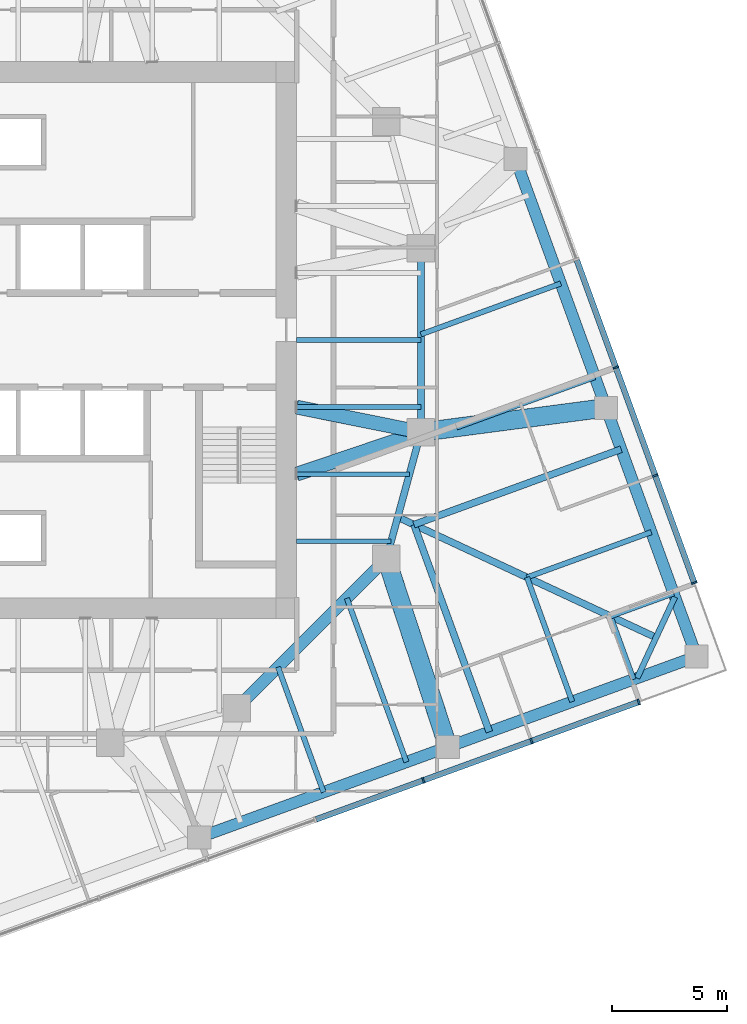
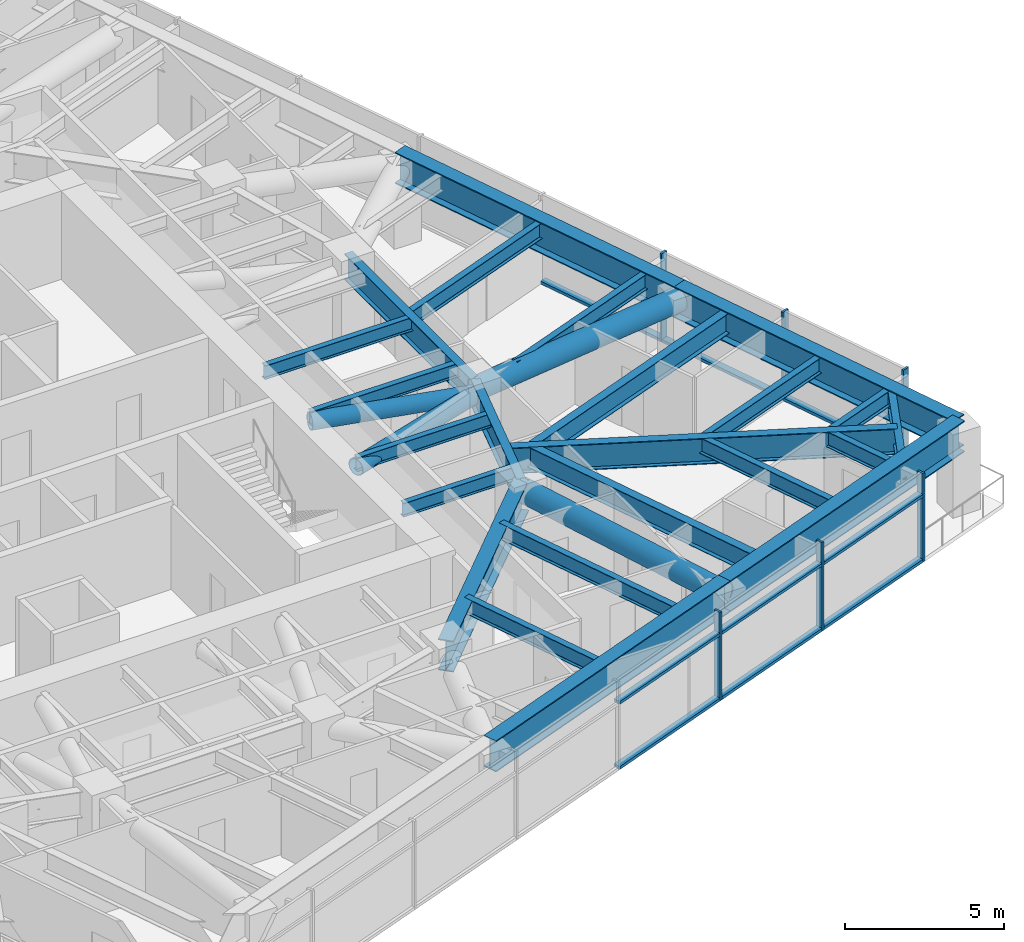
# One storey, part 4 of 16: 23 beams, 22 members, 2 elements without a shape of their own.
"""IFC4 building model written with IfcOpenShell, lengths in metres."""

from ifc_helpers import new_model, si_unit, direction, frame, origin, origin_2d, place, context, subcontext, project, spatial, rectangle, hollow_circle, i_section, extrude, material, material_profile, profile_set, type_object, element, aggregate, save


model = new_model("IFC4")

# Units and contexts
model_context = context("Model", 3, precision=1e-05, world=origin(), true_north=direction((0.0, 1.0)))
body_context = subcontext(model_context, "Body", "Model", "MODEL_VIEW")
ifc_project = project(units=[si_unit("LENGTHUNIT", "METRE"), si_unit("AREAUNIT", "SQUARE_METRE"), si_unit("VOLUMEUNIT", "CUBIC_METRE"), si_unit("PLANEANGLEUNIT", "RADIAN"), si_unit("MASSUNIT", "GRAM", prefix="KILO")], contexts=[model_context])

# Site, building, storey
site_placement = place(None, origin())
site = spatial("IfcSite", under=ifc_project, at=site_placement, CompositionType="ELEMENT")
building_placement = place(site_placement, origin())
building = spatial("IfcBuilding", under=site, at=building_placement, Name="Torsade Residences", CompositionType="ELEMENT")
storey_placement = place(building_placement, frame((0.0, 0.0, 167.60009765625)))
storey = spatial("IfcBuildingStorey", under=building, at=storey_placement, Name="L46", CompositionType="ELEMENT", Elevation=167.60009765625)

# Beams
ifc_material_1 = material(Name="Steel grade 300", Category="steel")
ifc_material_profile_1 = material_profile(ifc_material_1, i_section(OverallWidth=0.300048828125, OverallDepth=1.0, WebThickness=0.01611328125, FlangeThickness=0.028076171875, at=origin_2d()), Name="1000WB215")
ifc_profile_set_1 = profile_set([ifc_material_profile_1], Name="Steel grade 300")
beam_type_1 = type_object("IfcBeamType", Name="CORNER GIRDER 1000WB215", PredefinedType="BEAM", material=ifc_profile_set_1)
beam_1_placement = place(storey_placement, frame((67.717041015625, 17.075439453125, 2.699951171875), z_axis=(-0.906308509373, 0.422616712682, 0.0), x_axis=(-0.422616712682, -0.906308509373, 0.0)))
element("IfcBeam", 1, at=beam_1_placement, inside=storey, type_object=beam_type_1, Name="Corner girder 05 L47", PredefinedType="BEAM", context=body_context, shape_type="SweptSolid", body=[
    extrude(i_section(OverallWidth=0.300048828125, OverallDepth=1.0, WebThickness=0.01611328125, FlangeThickness=0.028076171875, at=origin_2d()), origin(), (0.0, 0.0, 1.0), 12.3837890625),
])
ifc_material_2 = material(Name="Steel grade 300", Category="steel")
ifc_material_profile_2 = material_profile(ifc_material_2, i_section(OverallWidth=0.25, OverallDepth=0.699951171875, WebThickness=0.010009765625, FlangeThickness=0.02001953125, at=origin_2d()), Name="700WB130")
ifc_profile_set_2 = profile_set([ifc_material_profile_2], Name="Steel grade 300")
beam_type_2 = type_object("IfcBeamType", Name="CORNER TRIMMER 700WB130", PredefinedType="BEAM", material=ifc_profile_set_2)
beam_2_placement = place(storey_placement, frame((68.538818359375, 18.837646484375, 2.849853515625), z_axis=(-0.422613947806, -0.906309798645, 0.0), x_axis=(0.906309798645, -0.422613947806, 0.0)))
element("IfcBeam", 2, at=beam_2_placement, inside=storey, type_object=beam_type_2, Name="Corner trimmer 05 L47", PredefinedType="BEAM", context=body_context, shape_type="SweptSolid", body=[
    extrude(i_section(OverallWidth=0.25, OverallDepth=0.699951171875, WebThickness=0.010009765625, FlangeThickness=0.02001953125, at=origin_2d()), origin(), (0.0, 0.0, 1.0), 3.888916015625),
])
ifc_material_3 = material(Name="Steel grade 300", Category="steel")
ifc_material_profile_3 = material_profile(ifc_material_3, i_section(OverallWidth=0.208984375, OverallDepth=0.528076171875, WebThickness=0.009521484375, FlangeThickness=0.01318359375, FilletRadius=0.013916015625, at=origin_2d()), Name="530UB82.0")
ifc_profile_set_3 = profile_set([ifc_material_profile_3], Name="Steel grade 300")
beam_type_3 = type_object("IfcBeamType", Name="INNER FLOOR BEAM 530UB82.0", PredefinedType="JOIST", material=ifc_profile_set_3)
beam_3_placement = place(storey_placement, frame((52.10009765625, 21.262451171875, 2.935791015625), z_axis=(1.0, 0.0, 0.0), x_axis=(0.0, 1.0, 0.0)))
element("IfcBeam", 3, at=beam_3_placement, inside=storey, type_object=beam_type_3, Name="Inner floor beam IE01 L47", PredefinedType="JOIST", context=body_context, shape_type="SweptSolid", body=[
    extrude(i_section(OverallWidth=0.208984375, OverallDepth=0.528076171875, WebThickness=0.009521484375, FlangeThickness=0.01318359375, FilletRadius=0.013916015625, at=origin_2d()), origin(), (0.0, 0.0, 1.0), 4.10791015625),
])
beam_4_placement = place(storey_placement, frame((52.10009765625, 24.175048828125, 2.935791015625), z_axis=(1.0, 0.0, 0.0), x_axis=(0.0, 1.0, 0.0)))
element("IfcBeam", 4, at=beam_4_placement, inside=storey, type_object=beam_type_3, Name="Inner floor beam IE02 L47", PredefinedType="JOIST", context=body_context, shape_type="SweptSolid", body=[
    extrude(i_section(OverallWidth=0.208984375, OverallDepth=0.528076171875, WebThickness=0.009521484375, FlangeThickness=0.01318359375, FilletRadius=0.013916015625, at=origin_2d()), origin(), (0.0, 0.0, 1.0), 4.902099609375),
])
for number, where, z_axis, x_axis, name in (
    (5, (52.10009765625, 27.08740234375, 2.935791015625), (1.0, 0.0, 0.0), (0.0, 1.0, 0.0), "Inner floor beam IE03 L47"),
    (6, (52.10009765625, 30.0, 2.935791015625), (1.0, 0.0, 0.0), (0.0, 1.0, 0.0), "Inner floor beam IE04 L47"),
):
    element("IfcBeam", number, at=place(storey_placement, frame(where, z_axis=z_axis, x_axis=x_axis)), inside=storey, type_object=beam_type_3, Name=name, PredefinedType="JOIST", context=body_context, shape_type="SweptSolid", body=[
        extrude(i_section(OverallWidth=0.208984375, OverallDepth=0.528076171875, WebThickness=0.009521484375, FlangeThickness=0.01318359375, FilletRadius=0.013916015625, at=origin_2d()), origin(), (0.0, 0.0, 1.0), 5.39990234375),
    ])

# Curtain wall, members
ifc_material_4 = material(Name="Aluminium and glass", Category="aluminium")
curtain_wall_type = type_object("IfcCurtainWallType", Name="FRITTED GLASS CURTAIN WALL MID ZONE", PredefinedType="NOTDEFINED", material=ifc_material_4)
curtain_wall_1_placement = place(storey_placement, origin())
curtain_wall_1 = element("IfcCurtainWall", 7, at=curtain_wall_1_placement, inside=storey, type_object=curtain_wall_type, Name="Curtain wall L46 face 1", PredefinedType="NOTDEFINED")
ifc_material_5 = material(Name="Aluminium mullion", Category="aluminium")
ifc_material_profile_4 = material_profile(ifc_material_5, rectangle(XDim=0.25, YDim=0.080078125, at=origin_2d()), Name="MID ZONE CURTAIN WALL MULLION 250x80")
ifc_profile_set_4 = profile_set([ifc_material_profile_4], Name="Aluminium mullion")
member_type_1 = type_object("IfcMemberType", Name="MID ZONE CURTAIN WALL MULLION 250x80", PredefinedType="MULLION", material=ifc_profile_set_4)
member_1_placement = place(storey_placement, frame((57.60546875, 10.86767578125, 0.0), z_axis=(0.0, 0.0, 1.0), x_axis=(-0.342020147869, 0.939692619132, 0.0)))
member_1 = element("IfcMember", 8, at=member_1_placement, type_object=member_type_1, Name="Mullion 7", PredefinedType="MULLION", context=body_context, shape_type="SweptSolid", body=[
    extrude(rectangle(XDim=0.25, YDim=0.080078125, at=origin_2d()), origin(), (0.0, 0.0, 1.0), 3.39990234375),
])
member_2_placement = place(storey_placement, frame((62.303955078125, 12.57763671875, 0.0), z_axis=(0.0, 0.0, 1.0), x_axis=(-0.342020147869, 0.939692619132, 0.0)))
member_2 = element("IfcMember", 9, at=member_2_placement, type_object=member_type_1, Name="Mullion 8", PredefinedType="MULLION", context=body_context, shape_type="SweptSolid", body=[
    extrude(rectangle(XDim=0.25, YDim=0.080078125, at=origin_2d()), origin(), (0.0, 0.0, 1.0), 3.39990234375),
])
member_3_placement = place(storey_placement, frame((66.96484375, 14.274169921875, 0.0), z_axis=(0.0, 0.0, 1.0), x_axis=(-0.342020147869, 0.939692619132, 0.0)))
member_3 = element("IfcMember", 10, at=member_3_placement, type_object=member_type_1, Name="Mullion 9", PredefinedType="MULLION", context=body_context, shape_type="SweptSolid", body=[
    extrude(rectangle(XDim=0.25, YDim=0.080078125, at=origin_2d()), origin(), (0.0, 0.0, 1.0), 3.39990234375),
])

curtain_wall_2_placement = place(storey_placement, origin())
curtain_wall_2 = element("IfcCurtainWall", 11, at=curtain_wall_2_placement, inside=storey, type_object=curtain_wall_type, Name="Curtain wall L46 face 4", PredefinedType="NOTDEFINED")
member_4_placement = place(storey_placement, frame((69.37939453125, 19.4521484375, 0.0), z_axis=(0.0, 0.0, 1.0), x_axis=(-0.939692619132, -0.342020147869, 0.0)))
member_4 = element("IfcMember", 12, at=member_4_placement, type_object=member_type_1, Name="Mullion 1", PredefinedType="MULLION", context=body_context, shape_type="SweptSolid", body=[
    extrude(rectangle(XDim=0.25, YDim=0.080078125, at=origin_2d()), origin(), (0.0, 0.0, 1.0), 3.39990234375),
])
member_5_placement = place(storey_placement, frame((67.682861328125, 24.113037109375, 0.0), z_axis=(0.0, 0.0, 1.0), x_axis=(-0.939692619132, -0.342020147869, 0.0)))
member_5 = element("IfcMember", 13, at=member_5_placement, type_object=member_type_1, Name="Mullion 2", PredefinedType="MULLION", context=body_context, shape_type="SweptSolid", body=[
    extrude(rectangle(XDim=0.25, YDim=0.080078125, at=origin_2d()), origin(), (0.0, 0.0, 1.0), 3.39990234375),
])
member_6_placement = place(storey_placement, frame((65.972900390625, 28.8115234375, 0.0), z_axis=(0.0, 0.0, 1.0), x_axis=(-0.939692619132, -0.342020147869, 0.0)))
member_6 = element("IfcMember", 14, at=member_6_placement, type_object=member_type_1, Name="Mullion 3", PredefinedType="MULLION", context=body_context, shape_type="SweptSolid", body=[
    extrude(rectangle(XDim=0.25, YDim=0.080078125, at=origin_2d()), origin(), (0.0, 0.0, 1.0), 3.39990234375),
])

# Member
ifc_material_6 = material(Name="Aluminium transom", Category="aluminium")
ifc_material_profile_5 = material_profile(ifc_material_6, rectangle(XDim=0.25, YDim=0.110107421875, at=origin_2d()), Name="MID ZONE CURTAIN WALL TRANSOM 250x110")
ifc_profile_set_5 = profile_set([ifc_material_profile_5], Name="Aluminium transom")
member_type_2 = type_object("IfcMemberType", Name="MID ZONE CURTAIN WALL TRANSOM 250x110", PredefinedType="USERDEFINED", material=ifc_profile_set_5)
member_7_placement = place(storey_placement, frame((52.944580078125, 9.171142578125, 0.054931640625), z_axis=(0.93968471549, 0.342041862168, 0.0), x_axis=(-0.342041862168, 0.93968471549, 0.0)))
member_7 = element("IfcMember", 15, at=member_7_placement, type_object=member_type_2, Name="Transom 6.1", ObjectType="TRANSOM", PredefinedType="USERDEFINED", context=body_context, shape_type="SweptSolid", body=[
    extrude(rectangle(XDim=0.25, YDim=0.110107421875, at=origin_2d()), origin(), (0.0, 0.0, 1.0), 4.920166015625),
])

member_8_placement = place(storey_placement, frame((52.944580078125, 9.171142578125, 2.554931640625), z_axis=(0.93968471549, 0.342041862168, 0.0), x_axis=(-0.342041862168, 0.93968471549, 0.0)))
member_8 = element("IfcMember", 16, at=member_8_placement, type_object=member_type_2, Name="Transom 6.2", ObjectType="TRANSOM", PredefinedType="USERDEFINED", context=body_context, shape_type="SweptSolid", body=[
    extrude(rectangle(XDim=0.25, YDim=0.110107421875, at=origin_2d()), origin(), (0.0, 0.0, 1.0), 4.920166015625),
])

member_9_placement = place(storey_placement, frame((57.64306640625, 10.88134765625, 0.054931640625), z_axis=(0.9397006637, 0.341998044792, 0.0), x_axis=(-0.341998044792, 0.9397006637, 0.0)))
member_9 = element("IfcMember", 17, at=member_9_placement, type_object=member_type_2, Name="Transom 7.1", ObjectType="TRANSOM", PredefinedType="USERDEFINED", context=body_context, shape_type="SweptSolid", body=[
    extrude(rectangle(XDim=0.25, YDim=0.110107421875, at=origin_2d()), origin(), (0.0, 0.0, 1.0), 4.919921875),
])

member_10_placement = place(storey_placement, frame((57.64306640625, 10.88134765625, 2.554931640625), z_axis=(0.9397006637, 0.341998044792, 0.0), x_axis=(-0.341998044792, 0.9397006637, 0.0)))
member_10 = element("IfcMember", 18, at=member_10_placement, type_object=member_type_2, Name="Transom 7.2", ObjectType="TRANSOM", PredefinedType="USERDEFINED", context=body_context, shape_type="SweptSolid", body=[
    extrude(rectangle(XDim=0.25, YDim=0.110107421875, at=origin_2d()), origin(), (0.0, 0.0, 1.0), 4.919921875),
])

member_11_placement = place(storey_placement, frame((62.341552734375, 12.59130859375, 0.054931640625), z_axis=(0.939683823915, 0.342044311564, 0.0), x_axis=(-0.342044311564, 0.939683823915, 0.0)))
member_11 = element("IfcMember", 19, at=member_11_placement, type_object=member_type_2, Name="Transom 8.1", ObjectType="TRANSOM", PredefinedType="USERDEFINED", context=body_context, shape_type="SweptSolid", body=[
    extrude(rectangle(XDim=0.25, YDim=0.110107421875, at=origin_2d()), origin(), (0.0, 0.0, 1.0), 4.880126953125),
])

member_12_placement = place(storey_placement, frame((62.341552734375, 12.59130859375, 2.554931640625), z_axis=(0.939683823915, 0.342044311564, 0.0), x_axis=(-0.342044311564, 0.939683823915, 0.0)))
member_12 = element("IfcMember", 20, at=member_12_placement, type_object=member_type_2, Name="Transom 8.2", ObjectType="TRANSOM", PredefinedType="USERDEFINED", context=body_context, shape_type="SweptSolid", body=[
    extrude(rectangle(XDim=0.25, YDim=0.110107421875, at=origin_2d()), origin(), (0.0, 0.0, 1.0), 4.880126953125),
])

aggregate(curtain_wall_1, [member_1, member_2, member_3, member_7, member_8, member_9, member_10, member_11, member_12])

member_13_placement = place(storey_placement, frame((69.36572265625, 19.48974609375, 0.054931640625), z_axis=(-0.342044311564, 0.939683823915, 0.0), x_axis=(-0.939683823915, -0.342044311564, 0.0)))
member_13 = element("IfcMember", 21, at=member_13_placement, type_object=member_type_2, Name="Transom 1.1", ObjectType="TRANSOM", PredefinedType="USERDEFINED", context=body_context, shape_type="SweptSolid", body=[
    extrude(rectangle(XDim=0.25, YDim=0.110107421875, at=origin_2d()), origin(), (0.0, 0.0, 1.0), 4.880126953125),
])

member_14_placement = place(storey_placement, frame((69.36572265625, 19.48974609375, 2.554931640625), z_axis=(-0.342044311564, 0.939683823915, 0.0), x_axis=(-0.939683823915, -0.342044311564, 0.0)))
member_14 = element("IfcMember", 22, at=member_14_placement, type_object=member_type_2, Name="Transom 1.2", ObjectType="TRANSOM", PredefinedType="USERDEFINED", context=body_context, shape_type="SweptSolid", body=[
    extrude(rectangle(XDim=0.25, YDim=0.110107421875, at=origin_2d()), origin(), (0.0, 0.0, 1.0), 4.880126953125),
])

member_15_placement = place(storey_placement, frame((67.669189453125, 24.150634765625, 0.054931640625), z_axis=(-0.341998044792, 0.9397006637, 0.0), x_axis=(-0.9397006637, -0.341998044792, 0.0)))
member_15 = element("IfcMember", 23, at=member_15_placement, type_object=member_type_2, Name="Transom 2.1", ObjectType="TRANSOM", PredefinedType="USERDEFINED", context=body_context, shape_type="SweptSolid", body=[
    extrude(rectangle(XDim=0.25, YDim=0.110107421875, at=origin_2d()), origin(), (0.0, 0.0, 1.0), 4.919921875),
])

member_16_placement = place(storey_placement, frame((67.669189453125, 24.150634765625, 2.554931640625), z_axis=(-0.341998044792, 0.9397006637, 0.0), x_axis=(-0.9397006637, -0.341998044792, 0.0)))
member_16 = element("IfcMember", 24, at=member_16_placement, type_object=member_type_2, Name="Transom 2.2", ObjectType="TRANSOM", PredefinedType="USERDEFINED", context=body_context, shape_type="SweptSolid", body=[
    extrude(rectangle(XDim=0.25, YDim=0.110107421875, at=origin_2d()), origin(), (0.0, 0.0, 1.0), 4.919921875),
])

member_17_placement = place(storey_placement, frame((65.959228515625, 28.84912109375, 0.054931640625), z_axis=(-0.342041862168, 0.93968471549, 0.0), x_axis=(-0.93968471549, -0.342041862168, 0.0)))
member_17 = element("IfcMember", 25, at=member_17_placement, type_object=member_type_2, Name="Transom 3.1", ObjectType="TRANSOM", PredefinedType="USERDEFINED", context=body_context, shape_type="SweptSolid", body=[
    extrude(rectangle(XDim=0.25, YDim=0.110107421875, at=origin_2d()), origin(), (0.0, 0.0, 1.0), 4.920166015625),
])

member_18_placement = place(storey_placement, frame((65.959228515625, 28.84912109375, 2.554931640625), z_axis=(-0.342041862168, 0.93968471549, 0.0), x_axis=(-0.93968471549, -0.342041862168, 0.0)))
member_18 = element("IfcMember", 26, at=member_18_placement, type_object=member_type_2, Name="Transom 3.2", ObjectType="TRANSOM", PredefinedType="USERDEFINED", context=body_context, shape_type="SweptSolid", body=[
    extrude(rectangle(XDim=0.25, YDim=0.110107421875, at=origin_2d()), origin(), (0.0, 0.0, 1.0), 4.920166015625),
])

aggregate(curtain_wall_2, [member_4, member_5, member_6, member_13, member_14, member_15, member_16, member_17, member_18])

# Beams
ifc_material_7 = material(Name="Steel grade 300", Category="steel")
ifc_material_profile_6 = material_profile(ifc_material_7, i_section(OverallWidth=0.5, OverallDepth=1.199951171875, WebThickness=0.01611328125, FlangeThickness=0.0400390625, at=origin_2d()), Name="1200WB455")
ifc_profile_set_6 = profile_set([ifc_material_profile_6], Name="Steel grade 300")
beam_type_4 = type_object("IfcBeamType", Name="RING CORNER GIRDER 1200WB455", PredefinedType="BEAM", material=ifc_profile_set_6)
beam_5_placement = place(storey_placement, frame((49.5, 14.0, 2.599853515625), z_axis=(0.707106781187, 0.707106781187, 0.0), x_axis=(-0.707106781187, 0.707106781187, 0.0)))
element("IfcBeam", 27, at=beam_5_placement, inside=storey, type_object=beam_type_4, Name="Ring girder IR15 L47", PredefinedType="BEAM", context=body_context, shape_type="SweptSolid", body=[
    extrude(i_section(OverallWidth=0.5, OverallDepth=1.199951171875, WebThickness=0.01611328125, FlangeThickness=0.0400390625, at=origin_2d()), origin(), (0.0, 0.0, 1.0), 9.1923828125),
])
ifc_material_8 = material(Name="Steel grade 300", Category="steel")
ifc_material_profile_7 = material_profile(ifc_material_8, i_section(OverallWidth=0.300048828125, OverallDepth=1.0, WebThickness=0.01611328125, FlangeThickness=0.028076171875, at=origin_2d()), Name="1000WB215")
ifc_profile_set_7 = profile_set([ifc_material_profile_7], Name="Steel grade 300")
beam_type_5 = type_object("IfcBeamType", Name="RING GIRDER 1000WB215", PredefinedType="BEAM", material=ifc_profile_set_7)
beam_6_placement = place(storey_placement, frame((57.5, 26.0, 2.699951171875), z_axis=(0.0, 1.0, 0.0), x_axis=(-1.0, 0.0, 0.0)))
element("IfcBeam", 28, at=beam_6_placement, inside=storey, type_object=beam_type_5, Name="Ring girder IR01 L47", PredefinedType="BEAM", context=body_context, shape_type="SweptSolid", body=[
    extrude(i_section(OverallWidth=0.300048828125, OverallDepth=1.0, WebThickness=0.01611328125, FlangeThickness=0.028076171875, at=origin_2d()), origin(), (0.0, 0.0, 1.0), 8.0),
])
beam_7_placement = place(storey_placement, frame((56.0, 20.5, 2.699951171875), z_axis=(0.263117405792, 0.964763821238, 0.0), x_axis=(-0.964763821238, 0.263117405792, 0.0)))
element("IfcBeam", 29, at=beam_7_placement, inside=storey, type_object=beam_type_5, Name="Ring girder IR16 L47", PredefinedType="BEAM", context=body_context, shape_type="SweptSolid", body=[
    extrude(i_section(OverallWidth=0.300048828125, OverallDepth=1.0, WebThickness=0.01611328125, FlangeThickness=0.028076171875, at=origin_2d()), origin(), (0.0, 0.0, 1.0), 5.700927734375),
])
ifc_material_9 = material(Name="Steel grade 300", Category="steel")
ifc_material_profile_8 = material_profile(ifc_material_9, i_section(OverallWidth=0.22900390625, OverallDepth=0.612060546875, WebThickness=0.011962890625, FlangeThickness=0.01953125, FilletRadius=0.013916015625, at=origin_2d()), Name="610UB125")
ifc_profile_set_8 = profile_set([ifc_material_profile_8], Name="Steel grade 300")
beam_type_6 = type_object("IfcBeamType", Name="SECONDARY BEAM 610UB125", PredefinedType="JOIST", material=ifc_profile_set_8)
beam_8_placement = place(storey_placement, frame((53.269775390625, 10.353759765625, 2.893798828125), z_axis=(-0.342034409239, 0.939687428295, 0.0), x_axis=(-0.939687428295, -0.342034409239, 0.0)))
element("IfcBeam", 30, at=beam_8_placement, inside=storey, type_object=beam_type_6, Name="Floor beam FS08 L47", PredefinedType="JOIST", context=body_context, shape_type="SweptSolid", body=[
    extrude(i_section(OverallWidth=0.22900390625, OverallDepth=0.612060546875, WebThickness=0.011962890625, FlangeThickness=0.01953125, FilletRadius=0.013916015625, at=origin_2d()), origin(), (0.0, 0.0, 1.0), 5.785888671875),
])
beam_9_placement = place(storey_placement, frame((56.871826171875, 11.664794921875, 2.893798828125), z_axis=(-0.342027762686, 0.939689847531, 0.0), x_axis=(-0.939689847531, -0.342027762686, 0.0)))
element("IfcBeam", 31, at=beam_9_placement, inside=storey, type_object=beam_type_6, Name="Floor beam FS09 L47", PredefinedType="JOIST", context=body_context, shape_type="SweptSolid", body=[
    extrude(i_section(OverallWidth=0.22900390625, OverallDepth=0.612060546875, WebThickness=0.011962890625, FlangeThickness=0.01953125, FilletRadius=0.013916015625, at=origin_2d()), origin(), (0.0, 0.0, 1.0), 7.573486328125),
])
beam_10_placement = place(storey_placement, frame((64.076171875, 14.286865234375, 2.893798828125), z_axis=(-0.342005550448, 0.939697932031, 0.0), x_axis=(-0.939697932031, -0.342005550448, 0.0)))
element("IfcBeam", 32, at=beam_10_placement, inside=storey, type_object=beam_type_6, Name="Floor beam FS11 L47", PredefinedType="JOIST", context=body_context, shape_type="SweptSolid", body=[
    extrude(i_section(OverallWidth=0.22900390625, OverallDepth=0.612060546875, WebThickness=0.011962890625, FlangeThickness=0.01953125, FilletRadius=0.013916015625, at=origin_2d()), origin(), (0.0, 0.0, 1.0), 5.75),
])
for number, where, z_axis, x_axis, name in (
    (33, (66.738525390625, 15.255859375, 2.893798828125), (-0.341998427281, 0.939700524495, 0.0), (-0.939700524495, -0.341998427281, 0.0), "Floor beam FS12 L47"),
    (34, (68.48193359375, 18.994384765625, 2.893798828125), (-0.939700524495, -0.341998427281, 0.0), (0.341998427281, -0.939700524495, 0.0), "Floor beam FE01 L47"),
):
    element("IfcBeam", number, at=place(storey_placement, frame(where, z_axis=z_axis, x_axis=x_axis)), inside=storey, type_object=beam_type_6, Name=name, PredefinedType="JOIST", context=body_context, shape_type="SweptSolid", body=[
        extrude(i_section(OverallWidth=0.22900390625, OverallDepth=0.612060546875, WebThickness=0.011962890625, FlangeThickness=0.01953125, FilletRadius=0.013916015625, at=origin_2d()), origin(), (0.0, 0.0, 1.0), 2.916748046875),
    ])
beam_11_placement = place(storey_placement, frame((67.5126953125, 21.65673828125, 2.893798828125), z_axis=(-0.939692965423, -0.342019196443, 0.0), x_axis=(0.342019196443, -0.939692965423, 0.0)))
element("IfcBeam", 35, at=beam_11_placement, inside=storey, type_object=beam_type_6, Name="Floor beam FE02 L47", PredefinedType="JOIST", context=body_context, shape_type="SweptSolid", body=[
    extrude(i_section(OverallWidth=0.22900390625, OverallDepth=0.612060546875, WebThickness=0.011962890625, FlangeThickness=0.01953125, FilletRadius=0.013916015625, at=origin_2d()), origin(), (0.0, 0.0, 1.0), 5.749755859375),
])
beam_12_placement = place(storey_placement, frame((65.0615234375, 28.39111328125, 2.893798828125), z_axis=(-0.939698605846, -0.342003699059, 0.0), x_axis=(0.342003699059, -0.939698605846, 0.0)))
element("IfcBeam", 36, at=beam_12_placement, inside=storey, type_object=beam_type_6, Name="Floor beam FE04 L47", PredefinedType="JOIST", context=body_context, shape_type="SweptSolid", body=[
    extrude(i_section(OverallWidth=0.22900390625, OverallDepth=0.612060546875, WebThickness=0.011962890625, FlangeThickness=0.01953125, FilletRadius=0.013916015625, at=origin_2d()), origin(), (0.0, 0.0, 1.0), 6.392578125),
])
beam_13_placement = place(storey_placement, frame((63.57958984375, 32.463134765625, 2.893798828125), z_axis=(-0.939699737026, -0.342000590983, 0.0), x_axis=(0.342000590983, -0.939699737026, 0.0)))
element("IfcBeam", 37, at=beam_13_placement, inside=storey, type_object=beam_type_6, Name="Floor beam FE05 L47", PredefinedType="JOIST", context=body_context, shape_type="SweptSolid", body=[
    extrude(i_section(OverallWidth=0.22900390625, OverallDepth=0.612060546875, WebThickness=0.011962890625, FlangeThickness=0.01953125, FilletRadius=0.013916015625, at=origin_2d()), origin(), (0.0, 0.0, 1.0), 6.4697265625),
])
ifc_material_10 = material(Name="Steel grade 300", Category="steel")
ifc_material_profile_9 = material_profile(ifc_material_10, i_section(OverallWidth=0.300048828125, OverallDepth=0.800048828125, WebThickness=0.010009765625, FlangeThickness=0.02001953125, at=origin_2d()), Name="800WB146")
ifc_profile_set_9 = profile_set([ifc_material_profile_9], Name="Steel grade 300")
beam_type_7 = type_object("IfcBeamType", Name="SECONDARY BEAM 800WB146", PredefinedType="JOIST", material=ifc_profile_set_9)
for number, where, z_axis, x_axis, name in (
    (38, (60.47412109375, 12.975830078125, 2.7998046875), (-0.342033504181, 0.939687757725, 0.0), (-0.939687757725, -0.342033504181, 0.0), "Floor beam FS10 L47"),
    (39, (66.20166015625, 25.259033203125, 2.7998046875), (-0.939687757725, -0.342033504181, 0.0), (0.342033504181, -0.939687757725, 0.0), "Floor beam FE03 L47"),
):
    element("IfcBeam", number, at=place(storey_placement, frame(where, z_axis=z_axis, x_axis=x_axis)), inside=storey, type_object=beam_type_7, Name=name, PredefinedType="JOIST", context=body_context, shape_type="SweptSolid", body=[
        extrude(i_section(OverallWidth=0.300048828125, OverallDepth=0.800048828125, WebThickness=0.010009765625, FlangeThickness=0.02001953125, at=origin_2d()), origin(), (0.0, 0.0, 1.0), 9.583251953125),
    ])

# Members
ifc_material_11 = material(Name="Steel grade 450", Category="steel")
ifc_material_profile_10 = material_profile(ifc_material_11, hollow_circle(Radius=0.304931640625, WallThickness=0.01611328125, at=origin_2d()), Name="610.0x16.0CHS")
ifc_profile_set_10 = profile_set([ifc_material_profile_10], Name="Steel grade 450")
member_type_3 = type_object("IfcMemberType", Name="TRANSFER FLOOR BRACE 610.0x16.0CHS", PredefinedType="BRACE", material=ifc_profile_set_10)
member_19_placement = place(storey_placement, frame((57.5, 26.0, 2.599853515625), z_axis=(-0.97976207845, 0.197299045909, 0.03375434957), x_axis=(-0.197411538983, -0.980320704809, 0.0)))
element("IfcMember", 40, at=member_19_placement, inside=storey, type_object=member_type_3, Name="Transfer floor brace TT5 bottom IR01IE03", PredefinedType="BRACE", context=body_context, shape_type="SweptSolid", body=[
    extrude(hollow_circle(Radius=0.304931640625, WallThickness=0.01611328125, at=origin_2d()), origin(), (0.0, 0.0, 1.0), 5.511474609375),
])
member_20_placement = place(storey_placement, frame((57.5, 26.0, 2.599853515625), z_axis=(-0.946855969774, -0.319999474368, 0.032620682203), x_axis=(0.320169867513, -0.947360151124, 0.0)))
element("IfcMember", 41, at=member_20_placement, inside=storey, type_object=member_type_3, Name="Transfer floor brace TT5 bottom IR01IE02", PredefinedType="BRACE", context=body_context, shape_type="SweptSolid", body=[
    extrude(hollow_circle(Radius=0.304931640625, WallThickness=0.01611328125, at=origin_2d()), origin(), (0.0, 0.0, 1.0), 5.702880859375),
])
ifc_material_12 = material(Name="Steel grade 450", Category="steel")
ifc_material_profile_11 = material_profile(ifc_material_12, hollow_circle(Radius=0.406494140625, WallThickness=0.02490234375, at=origin_2d()), Name="813.0x25.0CHS")
ifc_profile_set_11 = profile_set([ifc_material_profile_11], Name="Steel grade 450")
member_type_4 = type_object("IfcMemberType", Name="TRANSFER FLOOR STRUT 813.0x25.0CHS", PredefinedType="STRUT", material=ifc_profile_set_11)
member_21_placement = place(storey_placement, frame((58.6728515625, 12.3203125, 2.7998046875), z_axis=(-0.310604780972, 0.95053914703, 0.0), x_axis=(-0.95053914703, -0.310604780972, 0.0)))
element("IfcMember", 42, at=member_21_placement, inside=storey, type_object=member_type_4, Name="Transfer floor strut TT5 bottom 04IR16", PredefinedType="STRUT", context=body_context, shape_type="SweptSolid", body=[
    extrude(hollow_circle(Radius=0.406494140625, WallThickness=0.02490234375, at=origin_2d()), origin(), (0.0, 0.0, 1.0), 8.605224609375),
])
member_22_placement = place(storey_placement, frame((65.546142578125, 27.06005859375, 2.7998046875), z_axis=(-0.991432677347, -0.130618705739, 0.0), x_axis=(0.130618705739, -0.991432677347, 0.0)))
element("IfcMember", 43, at=member_22_placement, inside=storey, type_object=member_type_4, Name="Transfer floor strut TT5 bottom 06IR01", PredefinedType="STRUT", context=body_context, shape_type="SweptSolid", body=[
    extrude(hollow_circle(Radius=0.406494140625, WallThickness=0.02490234375, at=origin_2d()), origin(), (0.0, 0.0, 1.0), 8.11572265625),
])

# Beams
ifc_material_13 = material(Name="Steel grade 300", Category="steel")
ifc_material_profile_12 = material_profile(ifc_material_13, i_section(OverallWidth=0.5, OverallDepth=1.199951171875, WebThickness=0.01611328125, FlangeThickness=0.0400390625, at=origin_2d()), Name="1200WB455")
ifc_profile_set_12 = profile_set([ifc_material_profile_12], Name="Steel grade 300")
beam_type_8 = type_object("IfcBeamType", Name="TRANSFER TRUSS CHORD 1200WB455", PredefinedType="USERDEFINED", material=ifc_profile_set_12)
for number, where, z_axis, x_axis, name in (
    (44, (47.866455078125, 8.386962890625, 2.7998046875), (0.939688625666, 0.342031119628, 0.0), (-0.342031119628, 0.939688625666, 0.0), "Transfer truss TT5 bottom chord 03"),
    (45, (58.6728515625, 12.3203125, 2.7998046875), (0.939697932031, 0.342005550448, 0.0), (-0.342005550448, 0.939697932031, 0.0), "Transfer truss TT5 bottom chord 04"),
):
    element("IfcBeam", number, at=place(storey_placement, frame(where, z_axis=z_axis, x_axis=x_axis)), inside=storey, type_object=beam_type_8, Name=name, ObjectType="TRANSFER TRUSS CHORD", PredefinedType="USERDEFINED", context=body_context, shape_type="SweptSolid", body=[
        extrude(i_section(OverallWidth=0.5, OverallDepth=1.199951171875, WebThickness=0.01611328125, FlangeThickness=0.0400390625, at=origin_2d()), origin(), (0.0, 0.0, 1.0), 11.5),
    ])
beam_14_placement = place(storey_placement, frame((69.4794921875, 16.25341796875, 2.7998046875), z_axis=(-0.342024296483, 0.93969110915, 0.0), x_axis=(-0.93969110915, -0.342024296483, 0.0)))
element("IfcBeam", 46, at=beam_14_placement, inside=storey, type_object=beam_type_8, Name="Transfer truss TT5 bottom chord 05", ObjectType="TRANSFER TRUSS CHORD", PredefinedType="USERDEFINED", context=body_context, shape_type="SweptSolid", body=[
    extrude(i_section(OverallWidth=0.5, OverallDepth=1.199951171875, WebThickness=0.01611328125, FlangeThickness=0.0400390625, at=origin_2d()), origin(), (0.0, 0.0, 1.0), 11.500244140625),
])
beam_15_placement = place(storey_placement, frame((65.546142578125, 27.06005859375, 2.7998046875), z_axis=(-0.342012373318, 0.939695448801, 0.0), x_axis=(-0.939695448801, -0.342012373318, 0.0)))
element("IfcBeam", 47, at=beam_15_placement, inside=storey, type_object=beam_type_8, Name="Transfer truss TT5 bottom chord 06", ObjectType="TRANSFER TRUSS CHORD", PredefinedType="USERDEFINED", context=body_context, shape_type="SweptSolid", body=[
    extrude(i_section(OverallWidth=0.5, OverallDepth=1.199951171875, WebThickness=0.01611328125, FlangeThickness=0.0400390625, at=origin_2d()), origin(), (0.0, 0.0, 1.0), 11.5),
])

save(model, "model.ifc")
